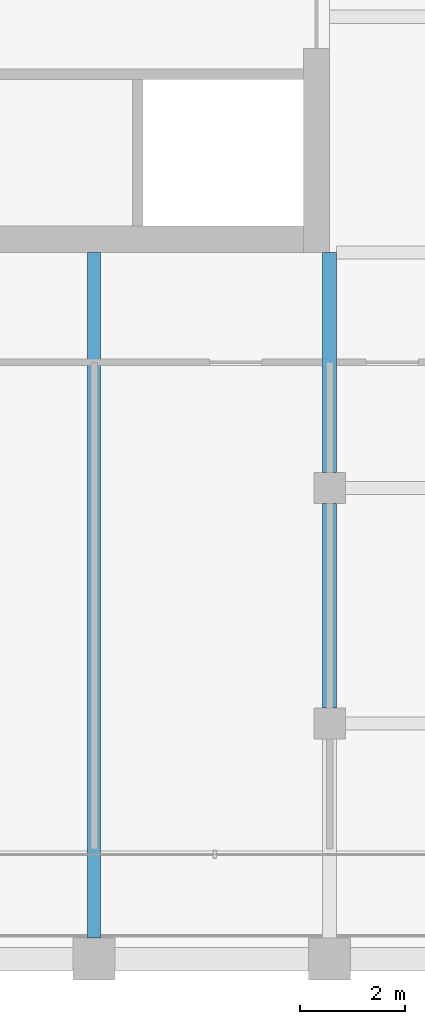
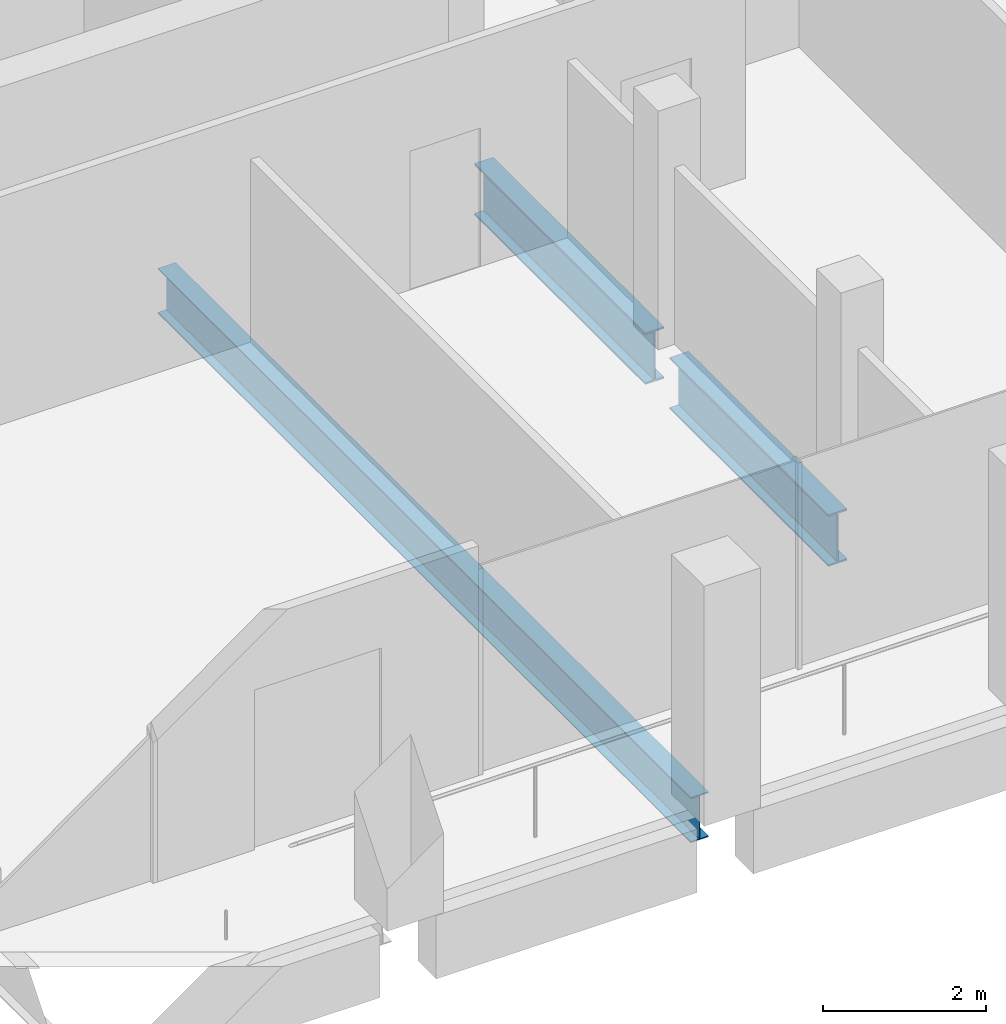
# One storey, part 10 of 30: 3 beams.
"""IFC4 building model written with IfcOpenShell, lengths in metres."""

from ifc_helpers import new_model, si_unit, direction, frame, origin, origin_2d, place, context, subcontext, project, spatial, i_section, extrude, material, material_profile, profile_set, type_object, element, save


model = new_model("IFC4")

# Units and contexts
model_context = context("Model", 3, precision=1e-05, world=origin(), true_north=direction((0.0, 1.0)))
body_context = subcontext(model_context, "Body", "Model", "MODEL_VIEW")
ifc_project = project(units=[si_unit("LENGTHUNIT", "METRE"), si_unit("AREAUNIT", "SQUARE_METRE"), si_unit("VOLUMEUNIT", "CUBIC_METRE"), si_unit("PLANEANGLEUNIT", "RADIAN"), si_unit("MASSUNIT", "GRAM", prefix="KILO")], contexts=[model_context])

# Site, building, storey
site_placement = place(None, origin())
site = spatial("IfcSite", under=ifc_project, at=site_placement, CompositionType="ELEMENT")
building_placement = place(site_placement, origin())
building = spatial("IfcBuilding", under=site, at=building_placement, Name="Altepetl Exchange Towers", CompositionType="ELEMENT")
storey_placement = place(building_placement, frame((0.0, 0.0, 224.39990234375)))
storey = spatial("IfcBuildingStorey", under=building, at=storey_placement, Name="L57", CompositionType="ELEMENT", Elevation=224.39990234375)

# Beams
ifc_material = material(Name="Steel S355", Category="steel")
ifc_material_profile_1 = material_profile(ifc_material, i_section(OverallWidth=0.2529296875, OverallDepth=0.677978515625, WebThickness=0.01171875, FlangeThickness=0.016357421875, at=origin_2d()), Name="W27X84")
ifc_profile_set_1 = profile_set([ifc_material_profile_1], Name="Steel S355")
beam_type_1 = type_object("IfcBeamType", Name="Floor beam W27X84", PredefinedType="BEAM", material=ifc_profile_set_1)
beam_1_placement = place(storey_placement, frame((54.0, 27.39990234375, -0.489013671875), z_axis=(0.0, 1.0, 0.0), x_axis=(-1.0, 0.0, 0.0)))
element("IfcBeam", 1, at=beam_1_placement, inside=storey, type_object=beam_type_1, Name="bm:A:L57:017", PredefinedType="BEAM", context=body_context, shape_type="SweptSolid", body=[
    extrude(i_section(OverallWidth=0.2529296875, OverallDepth=0.677978515625, WebThickness=0.01171875, FlangeThickness=0.016357421875, at=origin_2d()), origin(), (0.0, 0.0, 1.0), 13.10009765625),
])
ifc_material_profile_2 = material_profile(ifc_material, i_section(OverallWidth=0.26806640625, OverallDepth=0.77392578125, WebThickness=0.015380859375, FlangeThickness=0.025390625, at=origin_2d()), Name="W30X132")
ifc_profile_set_2 = profile_set([ifc_material_profile_2], Name="Steel S355")
beam_type_2 = type_object("IfcBeamType", Name="Girder W30X132", PredefinedType="BEAM", material=ifc_profile_set_2)
beam_2_placement = place(storey_placement, frame((58.5, 40.5, -0.536865234375), z_axis=(0.0, -1.0, 0.0), x_axis=(1.0, 0.0, 0.0)))
element("IfcBeam", 2, at=beam_2_placement, inside=storey, type_object=beam_type_2, Name="gd:A:L57:003", PredefinedType="BEAM", context=body_context, shape_type="SweptSolid", body=[
    extrude(i_section(OverallWidth=0.26806640625, OverallDepth=0.77392578125, WebThickness=0.015380859375, FlangeThickness=0.025390625, at=origin_2d()), origin(), (0.0, 0.0, 1.0), 4.199951171875),
])
beam_3_placement = place(storey_placement, frame((58.5, 35.699951171875, -0.536865234375), z_axis=(0.0, -1.0, 0.0), x_axis=(1.0, 0.0, 0.0)))
element("IfcBeam", 3, at=beam_3_placement, inside=storey, type_object=beam_type_2, Name="gd:A:L57:004", PredefinedType="BEAM", context=body_context, shape_type="SweptSolid", body=[
    extrude(i_section(OverallWidth=0.26806640625, OverallDepth=0.77392578125, WebThickness=0.015380859375, FlangeThickness=0.025390625, at=origin_2d()), origin(), (0.0, 0.0, 1.0), 3.89990234375),
])

save(model, "model.ifc")
